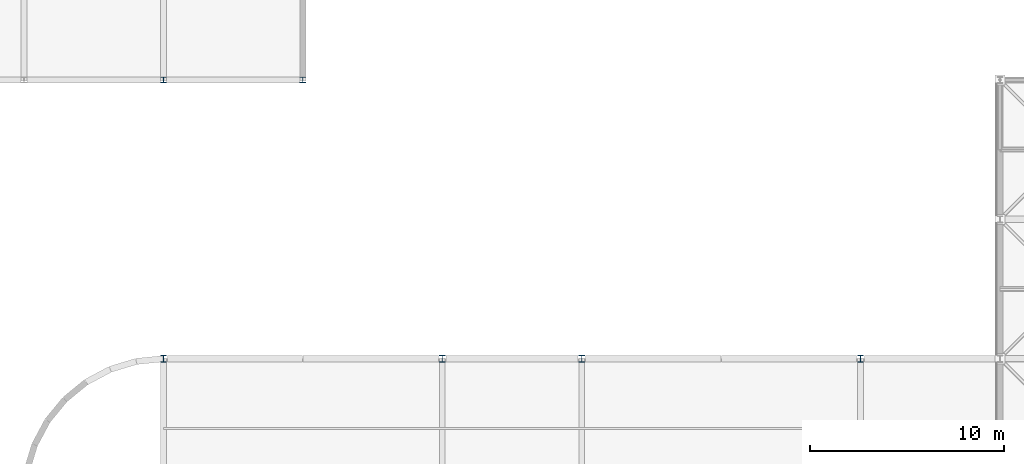
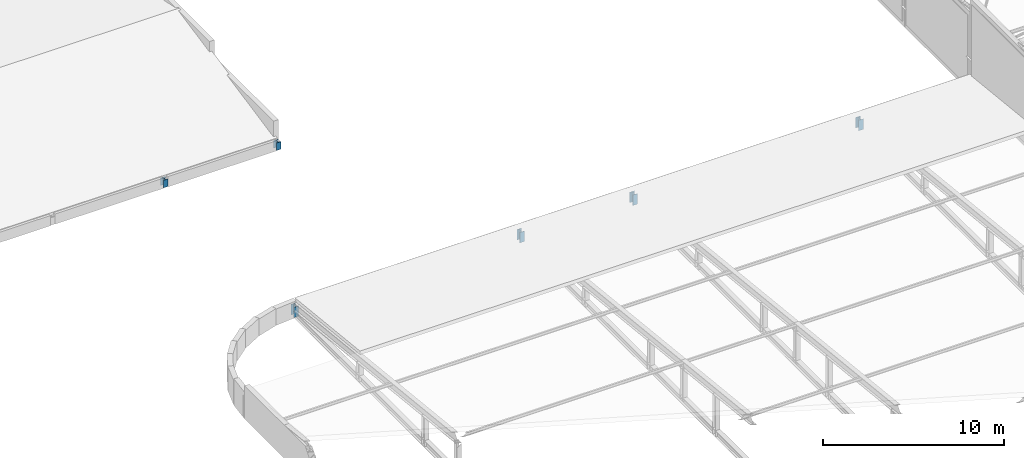
# One storey, part 11 of 103: 6 columns.
"""IFC4 building model written with IfcOpenShell, lengths in metres."""

from ifc_helpers import new_model, si_unit, direction, frame, origin, origin_2d, place, context, subcontext, project, spatial, i_section, extrude, material, material_profile, profile_set, type_object, element, save


model = new_model("IFC4")

# Units and contexts
model_context = context("Model", 3, precision=1e-05, world=origin(), true_north=direction((0.0, 1.0)))
body_context = subcontext(model_context, "Body", "Model", "MODEL_VIEW")
ifc_project = project(units=[si_unit("LENGTHUNIT", "METRE"), si_unit("AREAUNIT", "SQUARE_METRE"), si_unit("VOLUMEUNIT", "CUBIC_METRE"), si_unit("PLANEANGLEUNIT", "RADIAN"), si_unit("MASSUNIT", "GRAM", prefix="KILO")], contexts=[model_context])

# Site, building, storey
site_placement = place(None, origin())
site = spatial("IfcSite", under=ifc_project, at=site_placement, CompositionType="ELEMENT")
building_placement = place(site_placement, origin())
building = spatial("IfcBuilding", under=site, at=building_placement, Name="Thalmaran Polytechnic", CompositionType="ELEMENT")
storey_placement = place(building_placement, frame((0.0, 0.0, 14.39990234375)))
storey = spatial("IfcBuildingStorey", under=building, at=storey_placement, Name="L03", CompositionType="ELEMENT", Elevation=14.39990234375)

# Columns
ifc_material = material(Name="Steel S355", Category="steel")
ifc_material_profile_1 = material_profile(ifc_material, i_section(OverallWidth=0.300048828125, OverallDepth=0.340087890625, WebThickness=0.011962890625, FlangeThickness=0.021484375, at=origin_2d()), Name="HEB 340")
ifc_profile_set_1 = profile_set([ifc_material_profile_1], Name="Steel S355")
column_type_1 = type_object("IfcColumnType", Name="COL-SC1", PredefinedType="COLUMN", material=ifc_profile_set_1)
for number, where, z_axis, x_axis, name in (
    (1, (64.800048828125, 36.0, 0.0), (0.0, 0.0, 1.0), (1.0, 0.0, 0.0), "Lecture Roof North Post G09"),
    (2, (79.199951171875, 36.0, 0.0), (0.0, 0.0, 1.0), (1.0, 0.0, 0.0), "Lecture Roof North Post G11"),
    (3, (86.39990234375, 36.0, 0.0), (0.0, 0.0, 1.0), (1.0, 0.0, 0.0), "Lecture Roof North Post G12"),
    (4, (100.800048828125, 36.0, 0.0), (0.0, 0.0, 1.0), (1.0, 0.0, 0.0), "Lecture Roof North Post G14"),
):
    element("IfcColumn", number, at=place(storey_placement, frame(where, z_axis=z_axis, x_axis=x_axis)), inside=storey, type_object=column_type_1, Name=name, PredefinedType="COLUMN", context=body_context, shape_type="SweptSolid", body=[
        extrude(i_section(OverallWidth=0.300048828125, OverallDepth=0.340087890625, WebThickness=0.011962890625, FlangeThickness=0.021484375, at=origin_2d()), origin(), (0.0, 0.0, 1.0), 0.7001953125),
    ])
ifc_material_profile_2 = material_profile(ifc_material, i_section(OverallWidth=0.300048828125, OverallDepth=0.300048828125, WebThickness=0.010986328125, FlangeThickness=0.01904296875, at=origin_2d()), Name="HEB 300")
ifc_profile_set_2 = profile_set([ifc_material_profile_2], Name="Steel S355")
column_type_2 = type_object("IfcColumnType", Name="COL-SC2", PredefinedType="COLUMN", material=ifc_profile_set_2)
for number, where, z_axis, x_axis, name in (
    (5, (64.800048828125, 50.39990234375, 0.0), (0.0, 0.0, 1.0), (1.0, 0.0, 0.0), "Refectory Roof South Post G09"),
    (6, (72.0, 50.39990234375, 0.0), (0.0, 0.0, 1.0), (1.0, 0.0, 0.0), "Refectory Roof South Post G10"),
):
    element("IfcColumn", number, at=place(storey_placement, frame(where, z_axis=z_axis, x_axis=x_axis)), inside=storey, type_object=column_type_2, Name=name, PredefinedType="COLUMN", context=body_context, shape_type="SweptSolid", body=[
        extrude(i_section(OverallWidth=0.300048828125, OverallDepth=0.300048828125, WebThickness=0.010986328125, FlangeThickness=0.01904296875, at=origin_2d()), origin(), (0.0, 0.0, 1.0), 0.510009765625),
    ])

save(model, "model.ifc")
